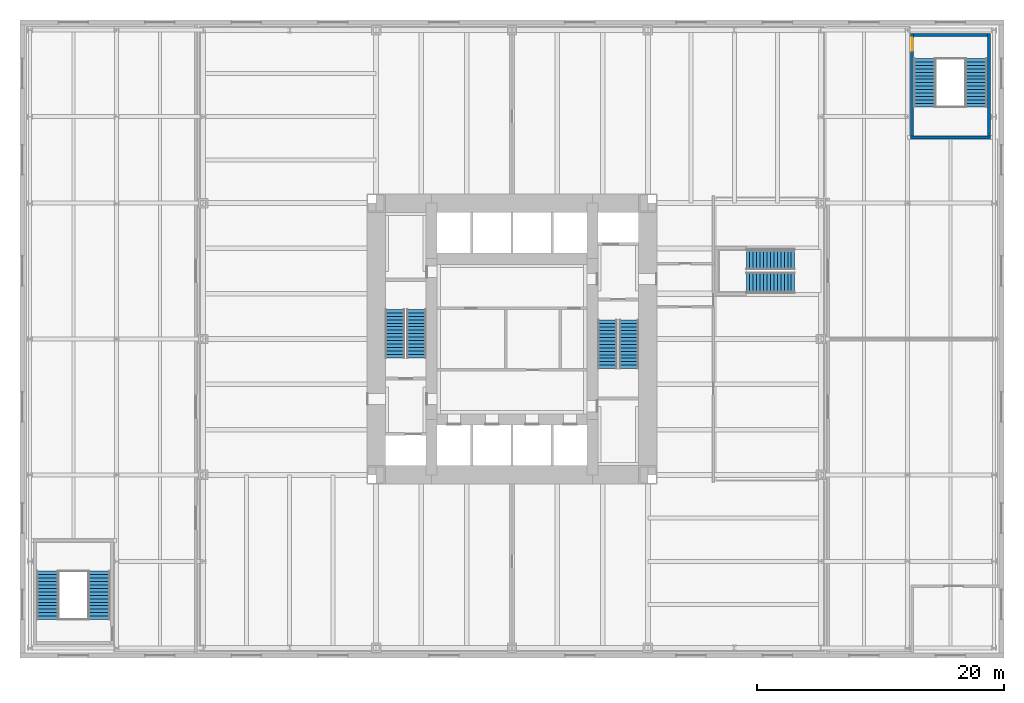
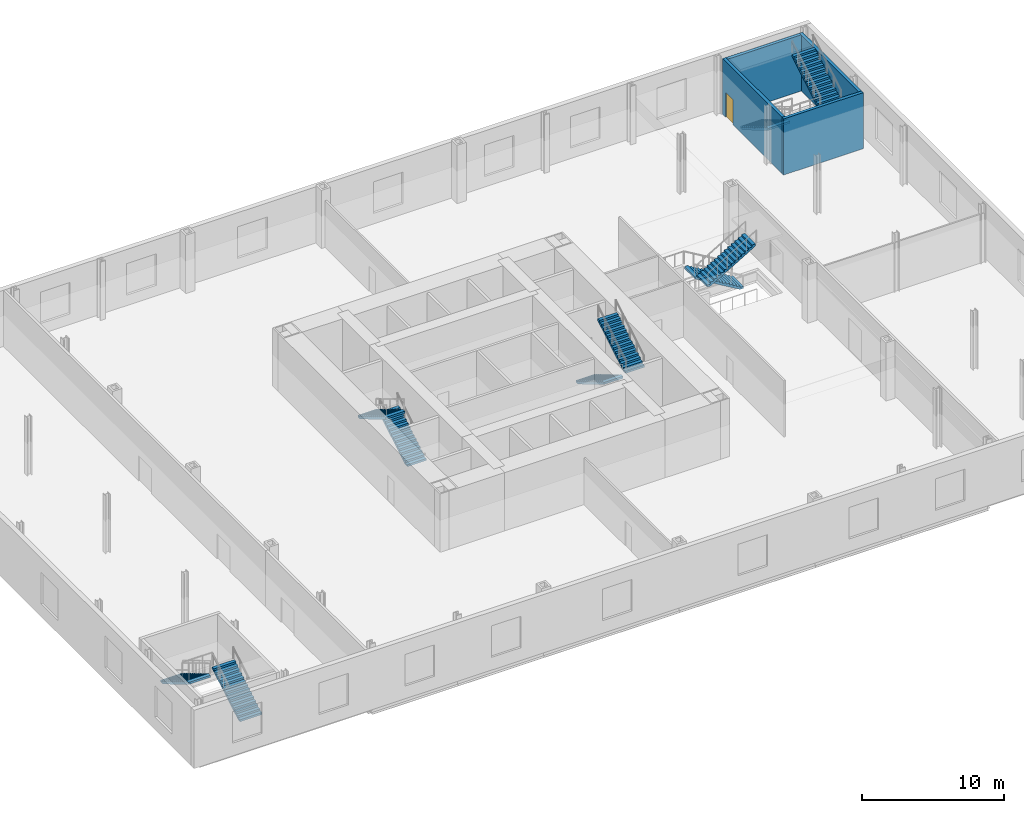
# One storey, part 11 of 13: 10 stair flights, 4 walls, 1 door, 1 opening, 5 elements without a shape of their own.
"""IFC4 building model written with IfcOpenShell, lengths in metres."""

from ifc_helpers import new_model, si_unit, direction, frame, frame_2d, origin, place, context, subcontext, project, spatial, polyline, rectangle, outline, extrude, material, layer, layer_set, type_object, element, fill, aggregate, save


model = new_model("IFC4")

# Units and contexts
model_context = context("Model", 3, precision=1e-05, world=origin(), true_north=direction((0.0, 1.0)))
body_context = subcontext(model_context, "Body", "Model", "MODEL_VIEW")
ifc_project = project(units=[si_unit("LENGTHUNIT", "METRE"), si_unit("AREAUNIT", "SQUARE_METRE"), si_unit("VOLUMEUNIT", "CUBIC_METRE"), si_unit("PLANEANGLEUNIT", "RADIAN"), si_unit("MASSUNIT", "GRAM", prefix="KILO")], contexts=[model_context])

# Site, building, storey
site_placement = place(None, origin())
site = spatial("IfcSite", under=ifc_project, at=site_placement, CompositionType="ELEMENT")
building_placement = place(site_placement, origin())
building = spatial("IfcBuilding", under=site, at=building_placement, Name="Trevanion Tower", CompositionType="ELEMENT")
storey_placement = place(building_placement, frame((0.0, 0.0, 6.0)))
storey = spatial("IfcBuildingStorey", under=building, at=storey_placement, Name="L01", CompositionType="ELEMENT", Elevation=6.0)

# Wall, opening, door
ifc_material_1 = material(Name="Reinforced masonry, fully grouted", Category="masonry")
ifc_layer = layer(ifc_material_1, 0.25)
ifc_layer_set = layer_set([ifc_layer], Name="SW1 stair shaft wall 250")
wall_type = type_object("IfcWallType", Name="SW1 stair shaft wall 250", PredefinedType="SOLIDWALL", material=ifc_layer_set)
wall_1_placement = place(storey_placement, frame((32.375, 16.31494140625, 0.0), z_axis=(0.0, 0.0, 1.0), x_axis=(0.0, 1.0, 0.0)))
wall_1 = element("IfcWall", 1, at=wall_1_placement, inside=storey, type_object=wall_type, Name="SW1 L01 S3A", PredefinedType="SOLIDWALL", context=body_context, shape_type="SweptSolid", body=[
    extrude(rectangle(XDim=8.425048828125, YDim=0.25, at=frame_2d((4.21240234375, 0.0))), origin(), (0.0, 0.0, 1.0), 4.81005859375),
])
opening_placement = place(wall_1_placement, frame((7.00146484375, 0.0, 0.0)))
opening = element("IfcOpeningElement", 2, at=opening_placement, cuts=wall_1, Name="Opening 01-018", PredefinedType="OPENING", context=body_context, shape_type="SweptSolid", body=[
    extrude(rectangle(XDim=1.06689453125, YDim=2.134033203125, at=frame_2d((0.533447265625, 1.06689453125))), frame((0.0, 0.135009765625, 0.0), z_axis=(0.0, -1.0, 0.0), x_axis=(1.0, 0.0, 0.0)), (0.0, 0.0, 1.0), 0.27001953125),
])
ifc_material_2 = material(Name="Hollow metal, fire rated", Category="steel")
door_type = type_object("IfcDoorType", Name="D2 exit stair door", OperationType="SINGLE_SWING_LEFT", PredefinedType="DOOR", material=ifc_material_2)
door_placement = place(opening_placement, origin())
door = element("IfcDoor", 3, at=door_placement, inside=storey, type_object=door_type, Name="Door 01-018", OperationType="SINGLE_SWING_LEFT", OverallHeight=2.134033203125, OverallWidth=1.06689453125, PredefinedType="DOOR", context=body_context, shape_type="SweptSolid", body=[
    extrude(rectangle(XDim=1.06689453125, YDim=2.134033203125, at=frame_2d((0.533447265625, 1.06689453125))), frame((0.0, 0.02490234375, 0.0), z_axis=(0.0, -1.0, 0.0), x_axis=(1.0, 0.0, 0.0)), (0.0, 0.0, 1.0), 0.050048828125),
])
fill(opening, door)

# Walls
wall_2_placement = place(storey_placement, frame((32.25, 16.31494140625, 0.0), z_axis=(0.0, 0.0, 1.0), x_axis=(1.0, 0.0, 0.0)))
element("IfcWall", 4, at=wall_2_placement, inside=storey, type_object=wall_type, Name="SW1 L01 S3B", PredefinedType="SOLIDWALL", context=body_context, shape_type="SweptSolid", body=[
    extrude(rectangle(XDim=6.47509765625, YDim=0.25, at=frame_2d((3.237548828125, 0.0))), origin(), (0.0, 0.0, 1.0), 4.81005859375),
])
wall_3_placement = place(storey_placement, frame((38.60009765625, 16.43994140625, 0.0), z_axis=(0.0, 0.0, 1.0), x_axis=(0.0, 1.0, 0.0)))
element("IfcWall", 5, at=wall_3_placement, inside=storey, type_object=wall_type, Name="SW1 L01 S3C", PredefinedType="SOLIDWALL", context=body_context, shape_type="SweptSolid", body=[
    extrude(rectangle(XDim=8.300048828125, YDim=0.25, at=frame_2d((4.14990234375, 0.0))), origin(), (0.0, 0.0, 1.0), 4.81005859375),
])
wall_4_placement = place(storey_placement, frame((32.5, 24.614990234375, 0.0), z_axis=(0.0, 0.0, 1.0), x_axis=(1.0, 0.0, 0.0)))
element("IfcWall", 6, at=wall_4_placement, inside=storey, type_object=wall_type, Name="SW1 L01 S3D", PredefinedType="SOLIDWALL", context=body_context, shape_type="SweptSolid", body=[
    extrude(rectangle(XDim=5.97509765625, YDim=0.25, at=frame_2d((2.987548828125, 0.0))), origin(), (0.0, 0.0, 1.0), 4.81005859375),
])

# Stair, stair flights
ifc_material_3 = material(Name="Concrete 5,000 psi", Category="concrete")
stair_type_1 = type_object("IfcStairType", Name="GS grand stair", PredefinedType="HALF_TURN_STAIR", material=ifc_material_3)
stair_1_placement = place(storey_placement, origin())
stair_1 = element("IfcStair", 7, at=stair_1_placement, inside=storey, type_object=stair_type_1, Name="GS2 L01", PredefinedType="HALF_TURN_STAIR")
ifc_material_4 = material(Name="Concrete 5,000 psi", Category="concrete")
stair_flight_type_1 = type_object("IfcStairFlightType", Name="GSF grand stair flight", PredefinedType="STRAIGHT", material=ifc_material_4)
stair_flight_1_placement = place(storey_placement, frame((22.8798828125, 6.35009765625, 0.0), z_axis=(0.0, 0.0, 1.0), x_axis=(-1.0, 0.0, 0.0)))
stair_flight_1 = element("IfcStairFlight", 8, at=stair_flight_1_placement, type_object=stair_flight_type_1, Name="GS2 flight 1", NumberOfRisers=15, NumberOfTreads=14, PredefinedType="STRAIGHT", RiserHeight=0.166666667, TreadLength=0.28, context=body_context, shape_type="SweptSolid", body=[
    extrude(outline(polyline([(0.0, 0.0), (0.0, 0.166748046875), (0.280029296875, 0.166748046875), (0.280029296875, 0.333251953125), (0.56005859375, 0.333251953125), (0.56005859375, 0.5), (0.840087890625, 0.5), (0.840087890625, 0.666748046875), (1.1201171875, 0.666748046875), (1.1201171875, 0.833251953125), (1.39990234375, 0.833251953125), (1.39990234375, 1.0), (1.679931640625, 1.0), (1.679931640625, 1.166748046875), (1.9599609375, 1.166748046875), (1.9599609375, 1.333251953125), (2.239990234375, 1.333251953125), (2.239990234375, 1.5), (2.52001953125, 1.5), (2.52001953125, 1.666748046875), (2.800048828125, 1.666748046875), (2.800048828125, 1.833251953125), (3.080078125, 1.833251953125), (3.080078125, 2.0), (3.360107421875, 2.0), (3.360107421875, 2.166748046875), (3.639892578125, 2.166748046875), (3.639892578125, 2.333251953125), (3.919921875, 2.333251953125), (3.919921875, 2.5), (3.919921875, 2.158935546875), (0.29296875, 0.0), (0.0, 0.0)])), frame((0.0, 0.75, 0.0), z_axis=(0.0, -1.0, 0.0), x_axis=(1.0, 0.0, 0.0)), (0.0, 0.0, 1.0), 1.5),
])
stair_flight_2_placement = place(storey_placement, frame((18.9599609375, 4.64990234375, 2.5), z_axis=(0.0, 0.0, 1.0), x_axis=(1.0, 0.0, 0.0)))
stair_flight_2 = element("IfcStairFlight", 9, at=stair_flight_2_placement, type_object=stair_flight_type_1, Name="GS2 flight 2", NumberOfRisers=15, NumberOfTreads=14, PredefinedType="STRAIGHT", RiserHeight=0.166666667, TreadLength=0.28, context=body_context, shape_type="SweptSolid", body=[
    extrude(outline(polyline([(0.0, 0.0), (0.0, 0.166748046875), (0.280029296875, 0.166748046875), (0.280029296875, 0.333251953125), (0.56005859375, 0.333251953125), (0.56005859375, 0.5), (0.840087890625, 0.5), (0.840087890625, 0.666748046875), (1.1201171875, 0.666748046875), (1.1201171875, 0.833251953125), (1.39990234375, 0.833251953125), (1.39990234375, 1.0), (1.679931640625, 1.0), (1.679931640625, 1.166748046875), (1.9599609375, 1.166748046875), (1.9599609375, 1.333251953125), (2.239990234375, 1.333251953125), (2.239990234375, 1.5), (2.52001953125, 1.5), (2.52001953125, 1.666748046875), (2.800048828125, 1.666748046875), (2.800048828125, 1.833251953125), (3.080078125, 1.833251953125), (3.080078125, 2.0), (3.360107421875, 2.0), (3.360107421875, 2.166748046875), (3.639892578125, 2.166748046875), (3.639892578125, 2.333251953125), (3.919921875, 2.333251953125), (3.919921875, 2.5), (3.919921875, 2.158935546875), (0.29296875, 0.0), (0.0, 0.0)])), frame((0.0, 0.75, 0.0), z_axis=(0.0, -1.0, 0.0), x_axis=(1.0, 0.0, 0.0)), (0.0, 0.0, 1.0), 1.5),
])
aggregate(stair_1, [stair_flight_1, stair_flight_2])

ifc_material_5 = material(Name="Concrete 5,000 psi on steel stringers", Category="concrete")
stair_type_2 = type_object("IfcStairType", Name="ST stair", PredefinedType="HALF_TURN_STAIR", material=ifc_material_5)
stair_2_placement = place(storey_placement, origin())
stair_2 = element("IfcStair", 10, at=stair_2_placement, inside=storey, type_object=stair_type_2, Name="ST1 L01", PredefinedType="HALF_TURN_STAIR")
ifc_material_6 = material(Name="Concrete 5,000 psi in steel pan", Category="concrete")
stair_flight_type_2 = type_object("IfcStairFlightType", Name="STF stair flight", PredefinedType="STRAIGHT", material=ifc_material_6)
stair_flight_3_placement = place(storey_placement, frame((7.72509765625, 1.52490234375, 0.0), z_axis=(0.0, 0.0, 1.0), x_axis=(0.0, -1.0, 0.0)))
stair_flight_3 = element("IfcStairFlight", 11, at=stair_flight_3_placement, type_object=stair_flight_type_2, Name="ST1 flight 1", NumberOfRisers=15, NumberOfTreads=14, PredefinedType="STRAIGHT", RiserHeight=0.166666667, TreadLength=0.28, context=body_context, shape_type="SweptSolid", body=[
    extrude(outline(polyline([(0.0, 0.0), (0.0, 0.166748046875), (0.280029296875, 0.166748046875), (0.280029296875, 0.333251953125), (0.56005859375, 0.333251953125), (0.56005859375, 0.5), (0.840087890625, 0.5), (0.840087890625, 0.666748046875), (1.1201171875, 0.666748046875), (1.1201171875, 0.833251953125), (1.39990234375, 0.833251953125), (1.39990234375, 1.0), (1.679931640625, 1.0), (1.679931640625, 1.166748046875), (1.9599609375, 1.166748046875), (1.9599609375, 1.333251953125), (2.239990234375, 1.333251953125), (2.239990234375, 1.5), (2.52001953125, 1.5), (2.52001953125, 1.666748046875), (2.800048828125, 1.666748046875), (2.800048828125, 1.833251953125), (3.080078125, 1.833251953125), (3.080078125, 2.0), (3.360107421875, 2.0), (3.360107421875, 2.166748046875), (3.639892578125, 2.166748046875), (3.639892578125, 2.333251953125), (3.919921875, 2.333251953125), (3.919921875, 2.5), (3.919921875, 2.158935546875), (0.29296875, 0.0), (0.0, 0.0)])), frame((0.0, 0.77490234375, 0.0), z_axis=(0.0, -1.0, 0.0), x_axis=(1.0, 0.0, 0.0)), (0.0, 0.0, 1.0), 1.550048828125),
])
stair_flight_4_placement = place(storey_placement, frame((9.47509765625, -2.39501953125, 2.5), z_axis=(0.0, 0.0, 1.0), x_axis=(0.0, 1.0, 0.0)))
stair_flight_4 = element("IfcStairFlight", 12, at=stair_flight_4_placement, type_object=stair_flight_type_2, Name="ST1 flight 2", NumberOfRisers=15, NumberOfTreads=14, PredefinedType="STRAIGHT", RiserHeight=0.166666667, TreadLength=0.28, context=body_context, shape_type="SweptSolid", body=[
    extrude(outline(polyline([(0.0, 0.0), (0.0, 0.166748046875), (0.280029296875, 0.166748046875), (0.280029296875, 0.333251953125), (0.56005859375, 0.333251953125), (0.56005859375, 0.5), (0.840087890625, 0.5), (0.840087890625, 0.666748046875), (1.1201171875, 0.666748046875), (1.1201171875, 0.833251953125), (1.39990234375, 0.833251953125), (1.39990234375, 1.0), (1.679931640625, 1.0), (1.679931640625, 1.166748046875), (1.9599609375, 1.166748046875), (1.9599609375, 1.333251953125), (2.239990234375, 1.333251953125), (2.239990234375, 1.5), (2.52001953125, 1.5), (2.52001953125, 1.666748046875), (2.800048828125, 1.666748046875), (2.800048828125, 1.833251953125), (3.080078125, 1.833251953125), (3.080078125, 2.0), (3.360107421875, 2.0), (3.360107421875, 2.166748046875), (3.639892578125, 2.166748046875), (3.639892578125, 2.333251953125), (3.919921875, 2.333251953125), (3.919921875, 2.5), (3.919921875, 2.158935546875), (0.29296875, 0.0), (0.0, 0.0)])), frame((0.0, 0.77490234375, 0.0), z_axis=(0.0, -1.0, 0.0), x_axis=(1.0, 0.0, 0.0)), (0.0, 0.0, 1.0), 1.550048828125),
])
aggregate(stair_2, [stair_flight_3, stair_flight_4])

stair_3_placement = place(storey_placement, origin())
stair_3 = element("IfcStair", 13, at=stair_3_placement, inside=storey, type_object=stair_type_2, Name="ST2 L01", PredefinedType="HALF_TURN_STAIR")
stair_flight_5_placement = place(storey_placement, frame((-7.72509765625, -1.52490234375, 0.0), z_axis=(0.0, 0.0, 1.0), x_axis=(0.0, 1.0, 0.0)))
stair_flight_5 = element("IfcStairFlight", 14, at=stair_flight_5_placement, type_object=stair_flight_type_2, Name="ST2 flight 1", NumberOfRisers=15, NumberOfTreads=14, PredefinedType="STRAIGHT", RiserHeight=0.166666667, TreadLength=0.28, context=body_context, shape_type="SweptSolid", body=[
    extrude(outline(polyline([(0.0, 0.0), (0.0, 0.166748046875), (0.280029296875, 0.166748046875), (0.280029296875, 0.333251953125), (0.56005859375, 0.333251953125), (0.56005859375, 0.5), (0.840087890625, 0.5), (0.840087890625, 0.666748046875), (1.1201171875, 0.666748046875), (1.1201171875, 0.833251953125), (1.39990234375, 0.833251953125), (1.39990234375, 1.0), (1.679931640625, 1.0), (1.679931640625, 1.166748046875), (1.9599609375, 1.166748046875), (1.9599609375, 1.333251953125), (2.239990234375, 1.333251953125), (2.239990234375, 1.5), (2.52001953125, 1.5), (2.52001953125, 1.666748046875), (2.800048828125, 1.666748046875), (2.800048828125, 1.833251953125), (3.080078125, 1.833251953125), (3.080078125, 2.0), (3.360107421875, 2.0), (3.360107421875, 2.166748046875), (3.639892578125, 2.166748046875), (3.639892578125, 2.333251953125), (3.919921875, 2.333251953125), (3.919921875, 2.5), (3.919921875, 2.158935546875), (0.29296875, 0.0), (0.0, 0.0)])), frame((0.0, 0.77490234375, 0.0), z_axis=(0.0, -1.0, 0.0), x_axis=(1.0, 0.0, 0.0)), (0.0, 0.0, 1.0), 1.550048828125),
])
stair_flight_6_placement = place(storey_placement, frame((-9.47509765625, 2.39501953125, 2.5), z_axis=(0.0, 0.0, 1.0), x_axis=(0.0, -1.0, 0.0)))
stair_flight_6 = element("IfcStairFlight", 15, at=stair_flight_6_placement, type_object=stair_flight_type_2, Name="ST2 flight 2", NumberOfRisers=15, NumberOfTreads=14, PredefinedType="STRAIGHT", RiserHeight=0.166666667, TreadLength=0.28, context=body_context, shape_type="SweptSolid", body=[
    extrude(outline(polyline([(0.0, 0.0), (0.0, 0.166748046875), (0.280029296875, 0.166748046875), (0.280029296875, 0.333251953125), (0.56005859375, 0.333251953125), (0.56005859375, 0.5), (0.840087890625, 0.5), (0.840087890625, 0.666748046875), (1.1201171875, 0.666748046875), (1.1201171875, 0.833251953125), (1.39990234375, 0.833251953125), (1.39990234375, 1.0), (1.679931640625, 1.0), (1.679931640625, 1.166748046875), (1.9599609375, 1.166748046875), (1.9599609375, 1.333251953125), (2.239990234375, 1.333251953125), (2.239990234375, 1.5), (2.52001953125, 1.5), (2.52001953125, 1.666748046875), (2.800048828125, 1.666748046875), (2.800048828125, 1.833251953125), (3.080078125, 1.833251953125), (3.080078125, 2.0), (3.360107421875, 2.0), (3.360107421875, 2.166748046875), (3.639892578125, 2.166748046875), (3.639892578125, 2.333251953125), (3.919921875, 2.333251953125), (3.919921875, 2.5), (3.919921875, 2.158935546875), (0.29296875, 0.0), (0.0, 0.0)])), frame((0.0, 0.77490234375, 0.0), z_axis=(0.0, -1.0, 0.0), x_axis=(1.0, 0.0, 0.0)), (0.0, 0.0, 1.0), 1.550048828125),
])
aggregate(stair_3, [stair_flight_5, stair_flight_6])

stair_4_placement = place(storey_placement, origin())
stair_4 = element("IfcStair", 16, at=stair_4_placement, inside=storey, type_object=stair_type_2, Name="ST3 L01", PredefinedType="HALF_TURN_STAIR")
stair_flight_7_placement = place(storey_placement, frame((33.392578125, 22.705078125, 0.0), z_axis=(0.0, 0.0, 1.0), x_axis=(0.0, -1.0, 0.0)))
stair_flight_7 = element("IfcStairFlight", 17, at=stair_flight_7_placement, type_object=stair_flight_type_2, Name="ST3 flight 1", NumberOfRisers=15, NumberOfTreads=14, PredefinedType="STRAIGHT", RiserHeight=0.166666667, TreadLength=0.28, context=body_context, shape_type="SweptSolid", body=[
    extrude(outline(polyline([(0.0, 0.0), (0.0, 0.166748046875), (0.280029296875, 0.166748046875), (0.280029296875, 0.333251953125), (0.56005859375, 0.333251953125), (0.56005859375, 0.5), (0.840087890625, 0.5), (0.840087890625, 0.666748046875), (1.1201171875, 0.666748046875), (1.1201171875, 0.833251953125), (1.39990234375, 0.833251953125), (1.39990234375, 1.0), (1.679931640625, 1.0), (1.679931640625, 1.166748046875), (1.9599609375, 1.166748046875), (1.9599609375, 1.333251953125), (2.239990234375, 1.333251953125), (2.239990234375, 1.5), (2.52001953125, 1.5), (2.52001953125, 1.666748046875), (2.800048828125, 1.666748046875), (2.800048828125, 1.833251953125), (3.080078125, 1.833251953125), (3.080078125, 2.0), (3.360107421875, 2.0), (3.360107421875, 2.166748046875), (3.639892578125, 2.166748046875), (3.639892578125, 2.333251953125), (3.919921875, 2.333251953125), (3.919921875, 2.5), (3.919921875, 2.158935546875), (0.29296875, 0.0), (0.0, 0.0)])), frame((0.0, 0.892578125, 0.0), z_axis=(0.0, -1.0, 0.0), x_axis=(1.0, 0.0, 0.0)), (0.0, 0.0, 1.0), 1.784912109375),
])
stair_flight_8_placement = place(storey_placement, frame((37.58251953125, 18.784912109375, 2.5), z_axis=(0.0, 0.0, 1.0), x_axis=(0.0, 1.0, 0.0)))
stair_flight_8 = element("IfcStairFlight", 18, at=stair_flight_8_placement, type_object=stair_flight_type_2, Name="ST3 flight 2", NumberOfRisers=15, NumberOfTreads=14, PredefinedType="STRAIGHT", RiserHeight=0.166666667, TreadLength=0.28, context=body_context, shape_type="SweptSolid", body=[
    extrude(outline(polyline([(0.0, 0.0), (0.0, 0.166748046875), (0.280029296875, 0.166748046875), (0.280029296875, 0.333251953125), (0.56005859375, 0.333251953125), (0.56005859375, 0.5), (0.840087890625, 0.5), (0.840087890625, 0.666748046875), (1.1201171875, 0.666748046875), (1.1201171875, 0.833251953125), (1.39990234375, 0.833251953125), (1.39990234375, 1.0), (1.679931640625, 1.0), (1.679931640625, 1.166748046875), (1.9599609375, 1.166748046875), (1.9599609375, 1.333251953125), (2.239990234375, 1.333251953125), (2.239990234375, 1.5), (2.52001953125, 1.5), (2.52001953125, 1.666748046875), (2.800048828125, 1.666748046875), (2.800048828125, 1.833251953125), (3.080078125, 1.833251953125), (3.080078125, 2.0), (3.360107421875, 2.0), (3.360107421875, 2.166748046875), (3.639892578125, 2.166748046875), (3.639892578125, 2.333251953125), (3.919921875, 2.333251953125), (3.919921875, 2.5), (3.919921875, 2.158935546875), (0.29296875, 0.0), (0.0, 0.0)])), frame((0.0, 0.892578125, 0.0), z_axis=(0.0, -1.0, 0.0), x_axis=(1.0, 0.0, 0.0)), (0.0, 0.0, 1.0), 1.784912109375),
])
aggregate(stair_4, [stair_flight_7, stair_flight_8])

stair_5_placement = place(storey_placement, origin())
stair_5 = element("IfcStair", 19, at=stair_5_placement, inside=storey, type_object=stair_type_2, Name="ST4 L01", PredefinedType="HALF_TURN_STAIR")
stair_flight_9_placement = place(storey_placement, frame((-33.392578125, -22.705078125, 0.0), z_axis=(0.0, 0.0, 1.0), x_axis=(0.0, 1.0, 0.0)))
stair_flight_9 = element("IfcStairFlight", 20, at=stair_flight_9_placement, type_object=stair_flight_type_2, Name="ST4 flight 1", NumberOfRisers=15, NumberOfTreads=14, PredefinedType="STRAIGHT", RiserHeight=0.166666667, TreadLength=0.28, context=body_context, shape_type="SweptSolid", body=[
    extrude(outline(polyline([(0.0, 0.0), (0.0, 0.166748046875), (0.280029296875, 0.166748046875), (0.280029296875, 0.333251953125), (0.56005859375, 0.333251953125), (0.56005859375, 0.5), (0.840087890625, 0.5), (0.840087890625, 0.666748046875), (1.1201171875, 0.666748046875), (1.1201171875, 0.833251953125), (1.39990234375, 0.833251953125), (1.39990234375, 1.0), (1.679931640625, 1.0), (1.679931640625, 1.166748046875), (1.9599609375, 1.166748046875), (1.9599609375, 1.333251953125), (2.239990234375, 1.333251953125), (2.239990234375, 1.5), (2.52001953125, 1.5), (2.52001953125, 1.666748046875), (2.800048828125, 1.666748046875), (2.800048828125, 1.833251953125), (3.080078125, 1.833251953125), (3.080078125, 2.0), (3.360107421875, 2.0), (3.360107421875, 2.166748046875), (3.639892578125, 2.166748046875), (3.639892578125, 2.333251953125), (3.919921875, 2.333251953125), (3.919921875, 2.5), (3.919921875, 2.158935546875), (0.29296875, 0.0), (0.0, 0.0)])), frame((0.0, 0.892578125, 0.0), z_axis=(0.0, -1.0, 0.0), x_axis=(1.0, 0.0, 0.0)), (0.0, 0.0, 1.0), 1.784912109375),
])
stair_flight_10_placement = place(storey_placement, frame((-37.58251953125, -18.784912109375, 2.5), z_axis=(0.0, 0.0, 1.0), x_axis=(0.0, -1.0, 0.0)))
stair_flight_10 = element("IfcStairFlight", 21, at=stair_flight_10_placement, type_object=stair_flight_type_2, Name="ST4 flight 2", NumberOfRisers=15, NumberOfTreads=14, PredefinedType="STRAIGHT", RiserHeight=0.166666667, TreadLength=0.28, context=body_context, shape_type="SweptSolid", body=[
    extrude(outline(polyline([(0.0, 0.0), (0.0, 0.166748046875), (0.280029296875, 0.166748046875), (0.280029296875, 0.333251953125), (0.56005859375, 0.333251953125), (0.56005859375, 0.5), (0.840087890625, 0.5), (0.840087890625, 0.666748046875), (1.1201171875, 0.666748046875), (1.1201171875, 0.833251953125), (1.39990234375, 0.833251953125), (1.39990234375, 1.0), (1.679931640625, 1.0), (1.679931640625, 1.166748046875), (1.9599609375, 1.166748046875), (1.9599609375, 1.333251953125), (2.239990234375, 1.333251953125), (2.239990234375, 1.5), (2.52001953125, 1.5), (2.52001953125, 1.666748046875), (2.800048828125, 1.666748046875), (2.800048828125, 1.833251953125), (3.080078125, 1.833251953125), (3.080078125, 2.0), (3.360107421875, 2.0), (3.360107421875, 2.166748046875), (3.639892578125, 2.166748046875), (3.639892578125, 2.333251953125), (3.919921875, 2.333251953125), (3.919921875, 2.5), (3.919921875, 2.158935546875), (0.29296875, 0.0), (0.0, 0.0)])), frame((0.0, 0.892578125, 0.0), z_axis=(0.0, -1.0, 0.0), x_axis=(1.0, 0.0, 0.0)), (0.0, 0.0, 1.0), 1.784912109375),
])
aggregate(stair_5, [stair_flight_9, stair_flight_10])

save(model, "model.ifc")
